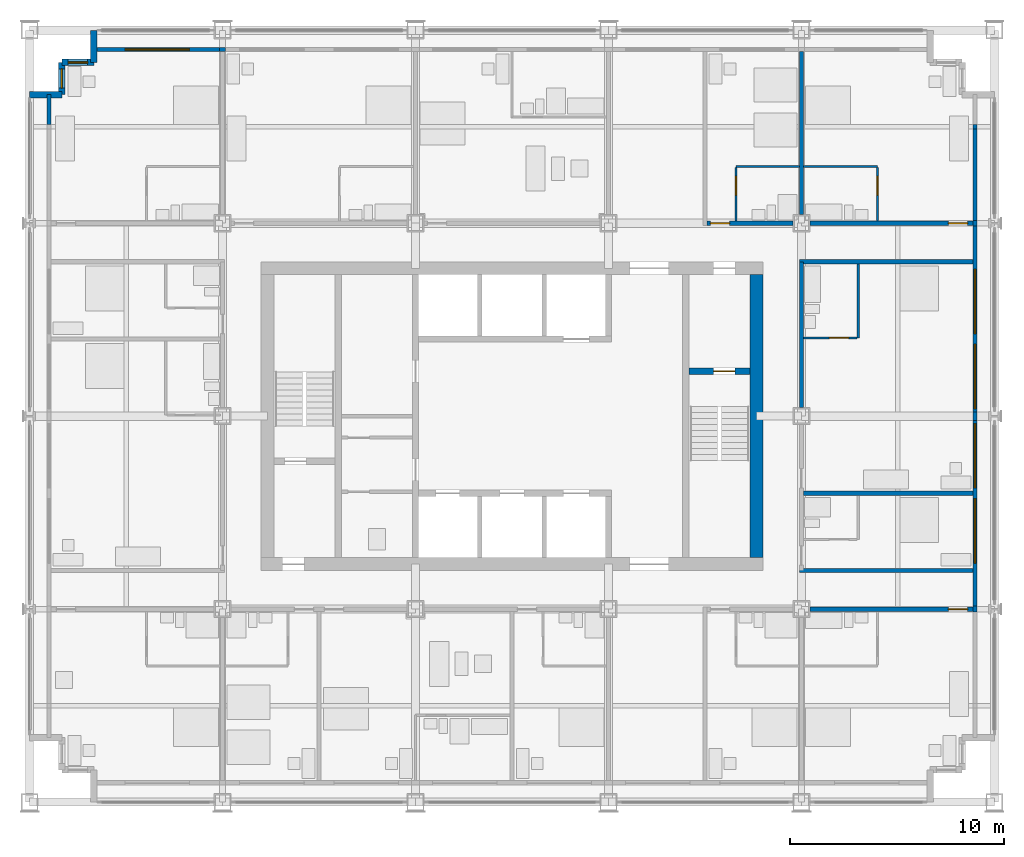
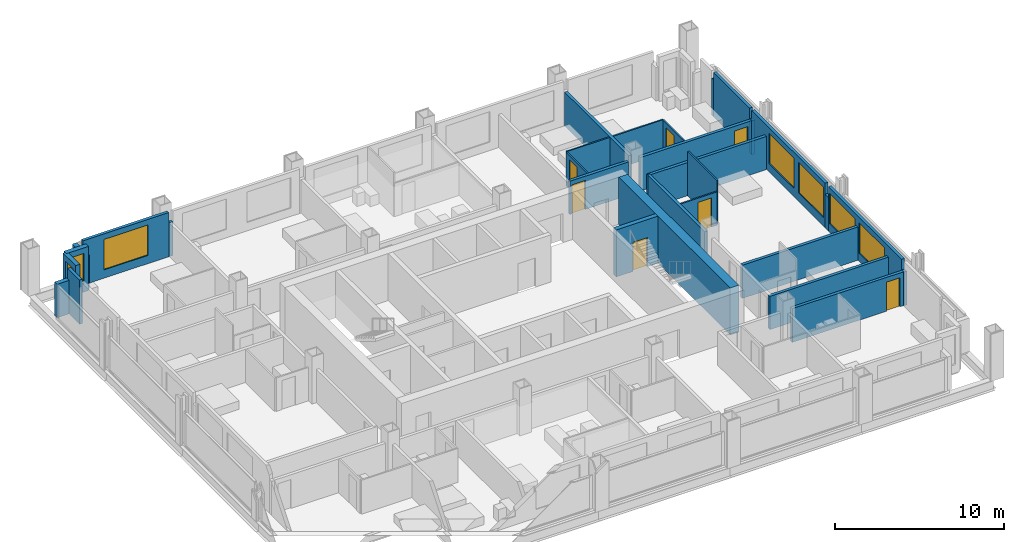
# One storey, part 12 of 16: 30 walls, 7 doors, 7 windows, 14 openings.
"""IFC4 building model written with IfcOpenShell, lengths in metres."""

import ifcopenshell
import ifcopenshell.guid

model = None  # the IFC model being written
_history = None  # IfcOwnerHistory: only IFC2X3 demands one
_inside = {}  # id of a spatial element -> (the spatial element, [elements in it])
_under = {}  # id of a project, library or spatial element -> (it, [spatial elements below it])
_declared = {}  # id of a project -> (the project, [libraries it declares])
_typed = {}  # id of a type object -> (the type object, [elements of that type])
_made_of = {}  # id of a material, layer set ... -> (it, [elements and type objects made of it])


def new_model(schema):
    """Start an empty IFC model of exactly this schema.

    Asked for "IFC4X3", IfcOpenShell would pick the latest addendum, in which some entities
    have other attributes; the version numbers below select the first issue.
    IFC2X3 requires an IfcOwnerHistory on every rooted entity: one is made here for all.
    """
    global model, _history
    if schema == "IFC4X3":
        model = ifcopenshell.file(schema_version=(4, 3, 0, 0))
    else:
        model = ifcopenshell.file(schema=schema)
    _inside.clear()
    _under.clear()
    _declared.clear()
    _typed.clear()
    _made_of.clear()
    _history = None
    if model.schema == "IFC2X3":
        org = make("IfcOrganization", Name="unknown")
        user = make(
            "IfcPersonAndOrganization",
            ThePerson=make("IfcPerson", FamilyName="unknown"),
            TheOrganization=org,
        )
        app = make(
            "IfcApplication",
            ApplicationDeveloper=org,
            Version="unknown",
            ApplicationFullName="unknown",
            ApplicationIdentifier="unknown",
        )
        _history = make(
            "IfcOwnerHistory",
            OwningUser=user,
            OwningApplication=app,
            ChangeAction="ADDED",
            CreationDate=0,
        )
    return model


def make(cls, **values):
    """One entity of the class cls with the attributes given. An attribute that is None is left unset."""
    return model.create_entity(
        cls, **{name: value for name, value in values.items() if value is not None}
    )


def rooted(cls, **values):
    """An entity with a GlobalId (a new one), such as an element, a storey or a relation."""
    return make(cls, GlobalId=ifcopenshell.guid.new(), OwnerHistory=_history, **values)


def si_unit(unit_type, name, prefix=None):
    """IfcSIUnit, for example si_unit("LENGTHUNIT", "METRE", prefix="MILLI")."""
    return make("IfcSIUnit", UnitType=unit_type, Prefix=prefix, Name=name)


def assignment(units):
    """IfcUnitAssignment: the units of a project."""
    return None if units is None else make("IfcUnitAssignment", Units=units)


def point(xyz):
    """IfcCartesianPoint."""
    return None if xyz is None else make("IfcCartesianPoint", Coordinates=xyz)


def direction(xyz):
    """IfcDirection."""
    return None if xyz is None else make("IfcDirection", DirectionRatios=xyz)


def frame(location, z_axis=None, x_axis=None):
    """IfcAxis2Placement3D, a coordinate frame: its origin and axes. An axis left out is left unset."""
    return make(
        "IfcAxis2Placement3D",
        Location=point(location),
        Axis=direction(z_axis),
        RefDirection=direction(x_axis),
    )


def frame_2d(location, x_axis=None):
    """IfcAxis2Placement2D, a coordinate frame in the plane: its origin and x axis."""
    return make(
        "IfcAxis2Placement2D", Location=point(location), RefDirection=direction(x_axis)
    )


def origin():
    """The frame at (0, 0, 0) with its axes left unset."""
    return frame((0.0, 0.0, 0.0))


def place(relative_to, where):
    """IfcLocalPlacement: puts the frame where relative to a parent placement (None: the world)."""
    return make(
        "IfcLocalPlacement", PlacementRelTo=relative_to, RelativePlacement=where
    )


def context(
    kind, dimensions, precision=None, world=None, true_north=None, identifier=None
):
    """IfcGeometricRepresentationContext, for example the 3D "Model" context."""
    return make(
        "IfcGeometricRepresentationContext",
        ContextIdentifier=identifier,
        ContextType=kind,
        CoordinateSpaceDimension=dimensions,
        Precision=precision,
        WorldCoordinateSystem=world,
        TrueNorth=true_north,
    )


def subcontext(parent, identifier, kind, view, scale=None):
    """IfcGeometricRepresentationSubContext, for example "Body" below "Model"."""
    return make(
        "IfcGeometricRepresentationSubContext",
        ContextIdentifier=identifier,
        ContextType=kind,
        ParentContext=parent,
        TargetScale=scale,
        TargetView=view,
    )


def project(units=None, contexts=None):
    """IfcProject with its units and contexts."""
    return rooted(
        "IfcProject",
        Name="project",
        RepresentationContexts=contexts,
        UnitsInContext=assignment(units),
    )


def spatial(cls, under=None, at=None, **own):
    """A site, building, storey or space (cls), placed at a placement, below another one or the project."""
    s = rooted(cls, ObjectPlacement=at, **own)
    if under is not None:
        _under.setdefault(under.id(), (under, []))[1].append(s)
    return s


def profile(cls, at=None, kind="AREA", **sizes):
    """A parametric profile (cls). Its sizes go by their IFC names, for example OverallWidth=200.0."""
    return make(cls, ProfileType=kind, Position=at, **sizes)


def rectangle(**sizes):
    """IfcRectangleProfileDef."""
    return profile("IfcRectangleProfileDef", **sizes)


def extrude(swept, where, along, depth):
    """IfcExtrudedAreaSolid: the profile swept, set in the frame where, extruded along a direction by depth."""
    return make(
        "IfcExtrudedAreaSolid",
        SweptArea=swept,
        Position=where,
        ExtrudedDirection=direction(along),
        Depth=depth,
    )


def shape(context_of_items, identifier, shape_type, items):
    """IfcShapeRepresentation: the items that make up one representation, for example the "Body"."""
    return make(
        "IfcShapeRepresentation",
        ContextOfItems=context_of_items,
        RepresentationIdentifier=identifier,
        RepresentationType=shape_type,
        Items=items,
    )


def material(Name=None, Category=None):
    """IfcMaterial."""
    return make("IfcMaterial", Name=Name, Category=Category)


def layer(
    of_material, thickness, ventilated=None, Name=None, Category=None, Priority=None
):
    """IfcMaterialLayer: one layer of a wall or slab, of a material (None: an air gap)."""
    return make(
        "IfcMaterialLayer",
        Material=of_material,
        LayerThickness=thickness,
        IsVentilated=ventilated,
        Name=Name,
        Category=Category,
        Priority=Priority,
    )


def layer_set(layers, Name=None):
    """IfcMaterialLayerSet."""
    return make("IfcMaterialLayerSet", MaterialLayers=layers, LayerSetName=Name)


def made_of(thing, what):
    """Note that an element or type object is made of a material, layer set ...; save() writes the relation."""
    if what is not None:
        _made_of.setdefault(what.id(), (what, []))[1].append(thing)
    return thing


def type_object(cls, material=None, **own):
    """A type object (cls), such as IfcWallType, which elements share."""
    return made_of(rooted(cls, **own), material)


def element(
    cls,
    number,
    at=None,
    inside=None,
    cuts=None,
    type_object=None,
    material=None,
    context=None,
    identifier="Body",
    shape_type=None,
    held_by="IfcProductDefinitionShape",
    body=None,
    shapes=None,
    **own,
):
    """One element of the class cls, such as IfcWall. Its Tag is "e" and its number.

    at: its placement. inside: the storey or other place that contains it. cuts: it is an
    opening in that element (IfcRelVoidsElement). A single representation is given by context,
    identifier, shape_type and body (its items); several are given by shapes. held_by: the class
    of the entity that holds the representations. save() writes the other relations.
    """
    e = rooted(cls, Tag="e%d" % number, ObjectPlacement=at, **own)
    if body is not None:
        shapes = [shape(context, identifier, shape_type, body)]
    if shapes is not None:
        e.Representation = make(held_by, Representations=shapes)
    if inside is not None:
        _inside.setdefault(inside.id(), (inside, []))[1].append(e)
    if cuts is not None:
        rooted(
            "IfcRelVoidsElement", RelatingBuildingElement=cuts, RelatedOpeningElement=e
        )
    if type_object is not None:
        _typed.setdefault(type_object.id(), (type_object, []))[1].append(e)
    return made_of(e, material)


def fill(opening, filler):
    """IfcRelFillsElement: the door or window that sits in an opening."""
    return rooted(
        "IfcRelFillsElement",
        RelatingOpeningElement=opening,
        RelatedBuildingElement=filler,
    )


def aggregate(whole, parts):
    """IfcRelAggregates: a whole, such as a stair, and the parts it consists of."""
    return rooted("IfcRelAggregates", RelatingObject=whole, RelatedObjects=parts)


def save(model, path):
    """Write the relations noted so far, then the file.

    IfcRelAggregates (storeys below a building ...), IfcRelContainedInSpatialStructure (elements
    in a storey), IfcRelDefinesByType, IfcRelAssociatesMaterial and IfcRelDeclares: one each for
    every whole, place, type object, material and project.
    """
    for whole, parts in _under.values():
        aggregate(whole, parts)
    for where, things in _inside.values():
        rooted(
            "IfcRelContainedInSpatialStructure",
            RelatedElements=things,
            RelatingStructure=where,
        )
    for kind, things in _typed.values():
        rooted("IfcRelDefinesByType", RelatedObjects=things, RelatingType=kind)
    for what, things in _made_of.values():
        rooted("IfcRelAssociatesMaterial", RelatedObjects=things, RelatingMaterial=what)
    for by, libraries in _declared.values():
        rooted("IfcRelDeclares", RelatingContext=by, RelatedDefinitions=libraries)
    model.write(path)


model = new_model("IFC4")

# Units and contexts
model_context = context("Model", 3, precision=1e-05, world=origin(), true_north=direction((0.0, 1.0)))
body_context = subcontext(model_context, "Body", "Model", "MODEL_VIEW")
ifc_project = project(units=[si_unit("LENGTHUNIT", "METRE"), si_unit("AREAUNIT", "SQUARE_METRE"), si_unit("VOLUMEUNIT", "CUBIC_METRE"), si_unit("PLANEANGLEUNIT", "RADIAN"), si_unit("MASSUNIT", "GRAM", prefix="KILO")], contexts=[model_context])

# Site, building, storey
site_placement = place(None, origin())
site = spatial("IfcSite", under=ifc_project, at=site_placement, CompositionType="ELEMENT")
building_placement = place(site_placement, origin())
building = spatial("IfcBuilding", under=site, at=building_placement, Name="Loomwork Tower", CompositionType="ELEMENT")
storey_placement = place(building_placement, frame((0.0, 0.0, 124.800048828125)))
storey = spatial("IfcBuildingStorey", under=building, at=storey_placement, Name="L33", CompositionType="ELEMENT", Elevation=124.800048828125)

# Wall, opening, door
ifc_material_1 = material(Name="Concrete 14000 psi (97 MPa)", Category="concrete")
ifc_layer_1 = layer(ifc_material_1, 0.300048828125)
ifc_layer_set_1 = layer_set([ifc_layer_1], Name="Core shear wall 300")
wall_type_1 = type_object("IfcWallType", Name="Core shear wall 300", PredefinedType="SHEAR", material=ifc_layer_set_1)
wall_1_placement = place(storey_placement, frame((30.75, 20.10009765625, 0.0), z_axis=(0.0, 0.0, 1.0), x_axis=(1.0, 0.0, 0.0)))
wall_1 = element("IfcWall", 1, at=wall_1_placement, inside=storey, type_object=wall_type_1, Name="Stair B north wall L33", PredefinedType="SHEAR", context=body_context, shape_type="SweptSolid", body=[
    extrude(rectangle(XDim=2.85009765625, YDim=0.300048828125, at=frame_2d((1.425048828125, 0.0))), origin(), (0.0, 0.0, 1.0), 3.39990234375),
])
opening_1_placement = place(wall_1_placement, frame((1.14990234375, 0.0, 0.0)))
opening_1 = element("IfcOpeningElement", 2, at=opening_1_placement, cuts=wall_1, Name="Opening D4", PredefinedType="OPENING", context=body_context, shape_type="SweptSolid", body=[
    extrude(rectangle(XDim=1.0, YDim=2.10009765625, at=frame_2d((0.5, 1.050048828125))), frame((0.0, 0.159912109375, 0.0), z_axis=(0.0, -1.0, 0.0), x_axis=(1.0, 0.0, 0.0)), (0.0, 0.0, 1.0), 0.320068359375),
])
ifc_material_2 = material(Name="Hollow metal door and frame")
door_type_1 = type_object("IfcDoorType", Name="Stair door 1000", OperationType="SINGLE_SWING_RIGHT", PredefinedType="DOOR", material=ifc_material_2)
door_1_placement = place(opening_1_placement, frame((1.0, 0.0, 0.0), z_axis=(0.0, 0.0, 1.0), x_axis=(-1.0, 0.0, 0.0)))
door_1 = element("IfcDoor", 3, at=door_1_placement, inside=storey, type_object=door_type_1, Name="Stair B door", OperationType="SINGLE_SWING_LEFT", OverallHeight=2.10009765625, OverallWidth=1.0, PredefinedType="DOOR", context=body_context, shape_type="SweptSolid", body=[
    extrude(rectangle(XDim=1.0, YDim=2.10009765625, at=frame_2d((0.5, 1.050048828125))), frame((0.0, 0.02490234375, 0.0), z_axis=(0.0, -1.0, 0.0), x_axis=(1.0, 0.0, 0.0)), (0.0, 0.0, 1.0), 0.050048828125),
])
fill(opening_1, door_1)

# Wall
ifc_material_3 = material(Name="Concrete 14000 psi (97 MPa)", Category="concrete")
ifc_layer_2 = layer(ifc_material_3, 0.60009765625)
ifc_layer_set_2 = layer_set([ifc_layer_2], Name="Core shear wall 600")
wall_type_2 = type_object("IfcWallType", Name="Core shear wall 600", PredefinedType="SHEAR", material=ifc_layer_set_2)
wall_2_placement = place(storey_placement, frame((33.89990234375, 11.39990234375, 0.0), z_axis=(0.0, 0.0, 1.0), x_axis=(0.0, 1.0, 0.0)))
element("IfcWall", 4, at=wall_2_placement, inside=storey, type_object=wall_type_2, Name="Core wall east L33", PredefinedType="SHEAR", context=body_context, shape_type="SweptSolid", body=[
    extrude(rectangle(XDim=13.2001953125, YDim=0.60009765625, at=frame_2d((6.60009765625, 0.0))), origin(), (0.0, 0.0, 1.0), 3.39990234375),
])

# Wall, opening, door
ifc_material_4 = material(Name="Gypsum board on steel studs, one-hour", Category="steel")
ifc_layer_3 = layer(ifc_material_4, 0.199951171875)
ifc_layer_set_3 = layer_set([ifc_layer_3], Name="Corridor wall 200")
wall_type_3 = type_object("IfcWallType", Name="Corridor wall 200", PredefinedType="PARTITIONING", material=ifc_layer_set_3)
wall_3_placement = place(storey_placement, frame((36.39990234375, 9.0, 0.0), z_axis=(0.0, 0.0, 1.0), x_axis=(1.0, 0.0, 0.0)))
wall_3 = element("IfcWall", 5, at=wall_3_placement, inside=storey, type_object=wall_type_3, Name="South corridor wall 5", PredefinedType="PARTITIONING", context=body_context, shape_type="SweptSolid", body=[
    extrude(rectangle(XDim=7.60009765625, YDim=0.199951171875, at=frame_2d((3.800048828125, 0.0))), origin(), (0.0, 0.0, 1.0), 2.43798828125),
])
opening_2_placement = place(wall_3_placement, frame((6.449951171875, 0.0, 0.0)))
opening_2 = element("IfcOpeningElement", 6, at=opening_2_placement, cuts=wall_3, Name="Opening D1", PredefinedType="OPENING", context=body_context, shape_type="SweptSolid", body=[
    extrude(rectangle(XDim=0.89990234375, YDim=2.10009765625, at=frame_2d((0.449951171875, 1.050048828125))), frame((0.0, 0.10986328125, 0.0), z_axis=(0.0, -1.0, 0.0), x_axis=(1.0, 0.0, 0.0)), (0.0, 0.0, 1.0), 0.219970703125),
])
ifc_material_5 = material(Name="Hollow metal door and frame")
door_type_2 = type_object("IfcDoorType", Name="Guest room entry door 900", OperationType="SINGLE_SWING_LEFT", PredefinedType="DOOR", material=ifc_material_5)
door_2_placement = place(opening_2_placement, frame((0.89990234375, 0.0, 0.0), z_axis=(0.0, 0.0, 1.0), x_axis=(-1.0, 0.0, 0.0)))
door_2 = element("IfcDoor", 7, at=door_2_placement, inside=storey, type_object=door_type_2, Name="Guest room entry door L33 6", OperationType="SINGLE_SWING_LEFT", OverallHeight=2.10009765625, OverallWidth=0.89990234375, PredefinedType="DOOR", context=body_context, shape_type="SweptSolid", body=[
    extrude(rectangle(XDim=0.89990234375, YDim=2.10009765625, at=frame_2d((0.449951171875, 1.050048828125))), frame((0.0, 0.02490234375, 0.0), z_axis=(0.0, -1.0, 0.0), x_axis=(1.0, 0.0, 0.0)), (0.0, 0.0, 1.0), 0.050048828125),
])
fill(opening_2, door_2)

wall_4_placement = place(storey_placement, frame((31.60009765625, 27.0, 0.0), z_axis=(0.0, 0.0, 1.0), x_axis=(1.0, 0.0, 0.0)))
wall_4 = element("IfcWall", 8, at=wall_4_placement, inside=storey, type_object=wall_type_3, Name="North corridor wall 4", PredefinedType="PARTITIONING", context=body_context, shape_type="SweptSolid", body=[
    extrude(rectangle(XDim=4.0, YDim=0.199951171875, at=frame_2d((2.0, 0.0))), origin(), (0.0, 0.0, 1.0), 2.405029296875),
])
opening_3_placement = place(wall_4_placement, frame((0.14990234375, 0.0, 0.0)))
opening_3 = element("IfcOpeningElement", 9, at=opening_3_placement, cuts=wall_4, Name="Opening D1", PredefinedType="OPENING", context=body_context, shape_type="SweptSolid", body=[
    extrude(rectangle(XDim=0.89990234375, YDim=2.10009765625, at=frame_2d((0.449951171875, 1.050048828125))), frame((0.0, 0.10986328125, 0.0), z_axis=(0.0, -1.0, 0.0), x_axis=(1.0, 0.0, 0.0)), (0.0, 0.0, 1.0), 0.219970703125),
])
door_3_placement = place(opening_3_placement, origin())
door_3 = element("IfcDoor", 10, at=door_3_placement, inside=storey, type_object=door_type_2, Name="Guest room entry door L33 10", OperationType="SINGLE_SWING_LEFT", OverallHeight=2.10009765625, OverallWidth=0.89990234375, PredefinedType="DOOR", context=body_context, shape_type="SweptSolid", body=[
    extrude(rectangle(XDim=0.89990234375, YDim=2.10009765625, at=frame_2d((0.449951171875, 1.050048828125))), frame((0.0, 0.02490234375, 0.0), z_axis=(0.0, -1.0, 0.0), x_axis=(1.0, 0.0, 0.0)), (0.0, 0.0, 1.0), 0.050048828125),
])
fill(opening_3, door_3)

wall_5_placement = place(storey_placement, frame((36.39990234375, 27.0, 0.0), z_axis=(0.0, 0.0, 1.0), x_axis=(1.0, 0.0, 0.0)))
wall_5 = element("IfcWall", 11, at=wall_5_placement, inside=storey, type_object=wall_type_3, Name="North corridor wall 5", PredefinedType="PARTITIONING", context=body_context, shape_type="SweptSolid", body=[
    extrude(rectangle(XDim=7.60009765625, YDim=0.199951171875, at=frame_2d((3.800048828125, 0.0))), origin(), (0.0, 0.0, 1.0), 2.43798828125),
])
opening_4_placement = place(wall_5_placement, frame((6.449951171875, 0.0, 0.0)))
opening_4 = element("IfcOpeningElement", 12, at=opening_4_placement, cuts=wall_5, Name="Opening D1", PredefinedType="OPENING", context=body_context, shape_type="SweptSolid", body=[
    extrude(rectangle(XDim=0.89990234375, YDim=2.10009765625, at=frame_2d((0.449951171875, 1.050048828125))), frame((0.0, 0.10986328125, 0.0), z_axis=(0.0, -1.0, 0.0), x_axis=(1.0, 0.0, 0.0)), (0.0, 0.0, 1.0), 0.219970703125),
])
door_4_placement = place(opening_4_placement, origin())
door_4 = element("IfcDoor", 13, at=door_4_placement, inside=storey, type_object=door_type_2, Name="Guest room entry door L33 11", OperationType="SINGLE_SWING_RIGHT", OverallHeight=2.10009765625, OverallWidth=0.89990234375, PredefinedType="DOOR", context=body_context, shape_type="SweptSolid", body=[
    extrude(rectangle(XDim=0.89990234375, YDim=2.10009765625, at=frame_2d((0.449951171875, 1.050048828125))), frame((0.0, 0.02490234375, 0.0), z_axis=(0.0, -1.0, 0.0), x_axis=(1.0, 0.0, 0.0)), (0.0, 0.0, 1.0), 0.050048828125),
])
fill(opening_4, door_4)

# Walls
wall_6_placement = place(storey_placement, frame((36.0, 18.39990234375, 0.0), z_axis=(0.0, 0.0, 1.0), x_axis=(0.0, 1.0, 0.0)))
element("IfcWall", 14, at=wall_6_placement, inside=storey, type_object=wall_type_3, Name="East corridor wall 2", PredefinedType="PARTITIONING", context=body_context, shape_type="SweptSolid", body=[
    extrude(rectangle(XDim=6.800048828125, YDim=0.199951171875, at=frame_2d((3.39990234375, 0.0))), origin(), (0.0, 0.0, 1.0), 2.405029296875),
])
for number, where, z_axis, x_axis, name in (
    (15, (35.89990234375, 10.800048828125, 0.0), (0.0, 0.0, 1.0), (1.0, 0.0, 0.0), "East band end wall S"),
    (16, (35.89990234375, 25.199951171875, 0.0), (0.0, 0.0, 1.0), (1.0, 0.0, 0.0), "East band end wall N"),
):
    element("IfcWall", number, at=place(storey_placement, frame(where, z_axis=z_axis, x_axis=x_axis)), inside=storey, type_object=wall_type_3, Name=name, PredefinedType="PARTITIONING", context=body_context, shape_type="SweptSolid", body=[
        extrude(rectangle(XDim=8.10009765625, YDim=0.199951171875, at=frame_2d((4.050048828125, 0.0))), origin(), (0.0, 0.0, 1.0), 2.404052734375),
    ])
ifc_material_6 = material(Name="Cement board on steel studs", Category="steel")
ifc_layer_4 = layer(ifc_material_6, 0.10009765625)
ifc_layer_set_4 = layer_set([ifc_layer_4], Name="En-suite partition 100")
wall_type_4 = type_object("IfcWallType", Name="En-suite partition 100", PredefinedType="PARTITIONING", material=ifc_layer_set_4)
wall_7_placement = place(storey_placement, frame((32.949951171875, 29.64990234375, 0.0), z_axis=(0.0, 0.0, 1.0), x_axis=(1.0, 0.0, 0.0)))
element("IfcWall", 17, at=wall_7_placement, inside=storey, type_object=wall_type_4, Name="En-suite wall L33 room 10", PredefinedType="PARTITIONING", context=body_context, shape_type="SweptSolid", body=[
    extrude(rectangle(XDim=2.949951171875, YDim=0.10009765625, at=frame_2d((1.47509765625, 0.0))), origin(), (0.0, 0.0, 1.0), 2.43798828125),
])

# Wall, opening, door
wall_8_placement = place(storey_placement, frame((32.949951171875, 27.10009765625, 0.0), z_axis=(0.0, 0.0, 1.0), x_axis=(0.0, 1.0, 0.0)))
wall_8 = element("IfcWall", 18, at=wall_8_placement, inside=storey, type_object=wall_type_4, Name="En-suite side wall L33 room 10", PredefinedType="PARTITIONING", context=body_context, shape_type="SweptSolid", body=[
    extrude(rectangle(XDim=2.5, YDim=0.10009765625, at=frame_2d((1.25, 0.0))), origin(), (0.0, 0.0, 1.0), 2.404052734375),
])
opening_5_placement = place(wall_8_placement, frame((1.199951171875, 0.0, 0.0)))
opening_5 = element("IfcOpeningElement", 19, at=opening_5_placement, cuts=wall_8, Name="Opening D2", PredefinedType="OPENING", context=body_context, shape_type="SweptSolid", body=[
    extrude(rectangle(XDim=0.89990234375, YDim=2.10009765625, at=frame_2d((0.449951171875, 1.050048828125))), frame((0.0, 0.06005859375, 0.0), z_axis=(0.0, -1.0, 0.0), x_axis=(1.0, 0.0, 0.0)), (0.0, 0.0, 1.0), 0.1201171875),
])
ifc_material_7 = material(Name="Hollow metal door and frame")
door_type_3 = type_object("IfcDoorType", Name="En-suite door 900", OperationType="SINGLE_SWING_LEFT", PredefinedType="DOOR", material=ifc_material_7)
door_5_placement = place(opening_5_placement, frame((0.89990234375, 0.0, 0.0), z_axis=(0.0, 0.0, 1.0), x_axis=(-1.0, 0.0, 0.0)))
door_5 = element("IfcDoor", 20, at=door_5_placement, inside=storey, type_object=door_type_3, Name="En-suite door room 10", OperationType="SINGLE_SWING_LEFT", OverallHeight=2.10009765625, OverallWidth=0.89990234375, PredefinedType="DOOR", context=body_context, shape_type="SweptSolid", body=[
    extrude(rectangle(XDim=0.89990234375, YDim=2.10009765625, at=frame_2d((0.449951171875, 1.050048828125))), frame((0.0, 0.02490234375, 0.0), z_axis=(0.0, -1.0, 0.0), x_axis=(1.0, 0.0, 0.0)), (0.0, 0.0, 1.0), 0.050048828125),
])
fill(opening_5, door_5)

# Wall
wall_9_placement = place(storey_placement, frame((36.10009765625, 29.64990234375, 0.0), z_axis=(0.0, 0.0, 1.0), x_axis=(1.0, 0.0, 0.0)))
element("IfcWall", 21, at=wall_9_placement, inside=storey, type_object=wall_type_4, Name="En-suite wall L33 room 11", PredefinedType="PARTITIONING", context=body_context, shape_type="SweptSolid", body=[
    extrude(rectangle(XDim=3.449951171875, YDim=0.10009765625, at=frame_2d((1.72509765625, 0.0))), origin(), (0.0, 0.0, 1.0), 2.43798828125),
])

# Wall, opening, door
wall_10_placement = place(storey_placement, frame((39.550048828125, 27.10009765625, 0.0), z_axis=(0.0, 0.0, 1.0), x_axis=(0.0, 1.0, 0.0)))
wall_10 = element("IfcWall", 22, at=wall_10_placement, inside=storey, type_object=wall_type_4, Name="En-suite side wall L33 room 11", PredefinedType="PARTITIONING", context=body_context, shape_type="SweptSolid", body=[
    extrude(rectangle(XDim=2.5, YDim=0.10009765625, at=frame_2d((1.25, 0.0))), origin(), (0.0, 0.0, 1.0), 2.43798828125),
])
opening_6_placement = place(wall_10_placement, frame((1.199951171875, 0.0, 0.0)))
opening_6 = element("IfcOpeningElement", 23, at=opening_6_placement, cuts=wall_10, Name="Opening D2", PredefinedType="OPENING", context=body_context, shape_type="SweptSolid", body=[
    extrude(rectangle(XDim=0.89990234375, YDim=2.10009765625, at=frame_2d((0.449951171875, 1.050048828125))), frame((0.0, 0.06005859375, 0.0), z_axis=(0.0, -1.0, 0.0), x_axis=(1.0, 0.0, 0.0)), (0.0, 0.0, 1.0), 0.1201171875),
])
door_6_placement = place(opening_6_placement, origin())
door_6 = element("IfcDoor", 24, at=door_6_placement, inside=storey, type_object=door_type_3, Name="En-suite door room 11", OperationType="SINGLE_SWING_RIGHT", OverallHeight=2.10009765625, OverallWidth=0.89990234375, PredefinedType="DOOR", context=body_context, shape_type="SweptSolid", body=[
    extrude(rectangle(XDim=0.89990234375, YDim=2.10009765625, at=frame_2d((0.449951171875, 1.050048828125))), frame((0.0, 0.02490234375, 0.0), z_axis=(0.0, -1.0, 0.0), x_axis=(1.0, 0.0, 0.0)), (0.0, 0.0, 1.0), 0.050048828125),
])
fill(opening_6, door_6)

# Wall
wall_11_placement = place(storey_placement, frame((38.64990234375, 21.64990234375, 0.0), z_axis=(0.0, 0.0, 1.0), x_axis=(0.0, 1.0, 0.0)))
element("IfcWall", 25, at=wall_11_placement, inside=storey, type_object=wall_type_4, Name="En-suite wall L33 room 15", PredefinedType="PARTITIONING", context=body_context, shape_type="SweptSolid", body=[
    extrude(rectangle(XDim=3.4501953125, YDim=0.10009765625, at=frame_2d((1.72509765625, 0.0))), origin(), (0.0, 0.0, 1.0), 3.199951171875),
])

# Wall, opening, door
wall_12_placement = place(storey_placement, frame((36.10009765625, 21.64990234375, 0.0), z_axis=(0.0, 0.0, 1.0), x_axis=(1.0, 0.0, 0.0)))
wall_12 = element("IfcWall", 26, at=wall_12_placement, inside=storey, type_object=wall_type_4, Name="En-suite side wall L33 room 15", PredefinedType="PARTITIONING", context=body_context, shape_type="SweptSolid", body=[
    extrude(rectangle(XDim=2.5, YDim=0.10009765625, at=frame_2d((1.25, 0.0))), origin(), (0.0, 0.0, 1.0), 2.404052734375),
])
opening_7_placement = place(wall_12_placement, frame((1.199951171875, 0.0, 0.0)))
opening_7 = element("IfcOpeningElement", 27, at=opening_7_placement, cuts=wall_12, Name="Opening D2", PredefinedType="OPENING", context=body_context, shape_type="SweptSolid", body=[
    extrude(rectangle(XDim=0.89990234375, YDim=2.10009765625, at=frame_2d((0.449951171875, 1.050048828125))), frame((0.0, 0.06005859375, 0.0), z_axis=(0.0, -1.0, 0.0), x_axis=(1.0, 0.0, 0.0)), (0.0, 0.0, 1.0), 0.1201171875),
])
door_7_placement = place(opening_7_placement, origin())
door_7 = element("IfcDoor", 28, at=door_7_placement, inside=storey, type_object=door_type_3, Name="En-suite door room 15", OperationType="SINGLE_SWING_RIGHT", OverallHeight=2.10009765625, OverallWidth=0.89990234375, PredefinedType="DOOR", context=body_context, shape_type="SweptSolid", body=[
    extrude(rectangle(XDim=0.89990234375, YDim=2.10009765625, at=frame_2d((0.449951171875, 1.050048828125))), frame((0.0, 0.02490234375, 0.0), z_axis=(0.0, -1.0, 0.0), x_axis=(1.0, 0.0, 0.0)), (0.0, 0.0, 1.0), 0.050048828125),
])
fill(opening_7, door_7)

# Walls
ifc_material_8 = material(Name="Gypsum board on steel studs, acoustic", Category="steel")
ifc_layer_5 = layer(ifc_material_8, 0.199951171875)
ifc_layer_set_5 = layer_set([ifc_layer_5], Name="Guest room party wall 200")
wall_type_5 = type_object("IfcWallType", Name="Guest room party wall 200", PredefinedType="PARTITIONING", material=ifc_layer_set_5)
wall_13_placement = place(storey_placement, frame((36.0, 27.39990234375, 0.0), z_axis=(0.0, 0.0, 1.0), x_axis=(0.0, 1.0, 0.0)))
element("IfcWall", 29, at=wall_13_placement, inside=storey, type_object=wall_type_5, Name="Guest room party wall N 36", PredefinedType="PARTITIONING", context=body_context, shape_type="SweptSolid", body=[
    extrude(rectangle(XDim=7.60009765625, YDim=0.199951171875, at=frame_2d((3.800048828125, 0.0))), origin(), (0.0, 0.0, 1.0), 2.43798828125),
])
wall_14_placement = place(storey_placement, frame((36.10009765625, 14.39990234375, 0.0), z_axis=(0.0, 0.0, 1.0), x_axis=(1.0, 0.0, 0.0)))
element("IfcWall", 30, at=wall_14_placement, inside=storey, type_object=wall_type_5, Name="Guest room party wall E 14.4", PredefinedType="PARTITIONING", context=body_context, shape_type="SweptSolid", body=[
    extrude(rectangle(XDim=7.89990234375, YDim=0.199951171875, at=frame_2d((3.949951171875, 0.0))), origin(), (0.0, 0.0, 1.0), 2.404052734375),
])

# Wall, opening, window
ifc_material_9 = material(Name="Insulated steel stud wall with gypsum lining", Category="steel")
ifc_layer_6 = layer(ifc_material_9, 0.199951171875)
ifc_layer_set_6 = layer_set([ifc_layer_6], Name="Inner skin wall 200")
wall_type_6 = type_object("IfcWallType", Name="Inner skin wall 200", PredefinedType="SOLIDWALL", material=ifc_layer_set_6)
wall_15_placement = place(storey_placement, frame((3.0, 35.10009765625, 0.0), z_axis=(0.0, 0.0, 1.0), x_axis=(1.0, 0.0, 0.0)))
wall_15 = element("IfcWall", 31, at=wall_15_placement, inside=storey, type_object=wall_type_6, Name="Inner skin wall N", PredefinedType="SOLIDWALL", context=body_context, shape_type="SweptSolid", body=[
    extrude(rectangle(XDim=5.86474609375, YDim=0.199951171875, at=frame_2d((2.932373046875, 0.0))), origin(), (0.0, 0.0, 1.0), 3.199951171875),
])
opening_8_placement = place(wall_15_placement, frame((1.449951171875, 0.0, 0.60009765625)))
opening_8 = element("IfcOpeningElement", 32, at=opening_8_placement, cuts=wall_15, Name="Opening CH1", PredefinedType="OPENING", context=body_context, shape_type="SweptSolid", body=[
    extrude(rectangle(XDim=3.0, YDim=2.199951171875, at=frame_2d((1.5, 1.10009765625))), frame((0.0, 0.10986328125, 0.0), z_axis=(0.0, -1.0, 0.0), x_axis=(1.0, 0.0, 0.0)), (0.0, 0.0, 1.0), 0.219970703125),
])
ifc_material_10 = material(Name="Aluminium frame with clear insulated glass", Category="aluminium")
window_type_1 = type_object("IfcWindowType", Name="Chicago window 3000", PartitioningType="TRIPLE_PANEL_VERTICAL", PredefinedType="WINDOW", material=ifc_material_10)
window_1_placement = place(opening_8_placement, origin())
window_1 = element("IfcWindow", 33, at=window_1_placement, inside=storey, type_object=window_type_1, Name="Chicago window L33 bay 6", OverallHeight=2.199951171875, OverallWidth=3.0, PartitioningType="TRIPLE_PANEL_VERTICAL", PredefinedType="WINDOW", context=body_context, shape_type="SweptSolid", body=[
    extrude(rectangle(XDim=3.0, YDim=2.199951171875, at=frame_2d((1.5, 1.10009765625))), frame((0.0, 0.030029296875, 0.0), z_axis=(0.0, -1.0, 0.0), x_axis=(1.0, 0.0, 0.0)), (0.0, 0.0, 1.0), 0.06005859375),
])
fill(opening_8, window_1)

# Walls
wall_16_placement = place(storey_placement, frame((0.89990234375, 31.607421875, 0.0), z_axis=(0.0, 0.0, 1.0), x_axis=(0.0, 1.0, 0.0)))
element("IfcWall", 34, at=wall_16_placement, inside=storey, type_object=wall_type_6, Name="Inner skin wall W bay 11", PredefinedType="SOLIDWALL", context=body_context, shape_type="SweptSolid", body=[
    extrude(rectangle(XDim=1.392578125, YDim=0.199951171875, at=frame_2d((0.6962890625, 0.0))), origin(), (0.0, 0.0, 1.0), 3.199951171875),
])
for number, where, z_axis, x_axis, name in (
    (35, (8.86474609375, 35.10009765625, 0.0), (0.0, 0.0, 1.0), (1.0, 0.0, 0.0), "Inner skin wall N bay 2"),
    (36, (44.10009765625, 8.86474609375, 0.0), (0.0, 0.0, 1.0), (0.0, 1.0, 0.0), "Inner skin wall E bay 4"),
):
    element("IfcWall", number, at=place(storey_placement, frame(where, z_axis=z_axis, x_axis=x_axis)), inside=storey, type_object=wall_type_6, Name=name, PredefinedType="SOLIDWALL", context=body_context, shape_type="SweptSolid", body=[
        extrude(rectangle(XDim=0.2705078125, YDim=0.199951171875, at=frame_2d((0.13525390625, 0.0))), origin(), (0.0, 0.0, 1.0), 2.43798828125),
    ])

# Wall, openings, windows
wall_17_placement = place(storey_placement, frame((44.10009765625, 9.13525390625, 0.0), z_axis=(0.0, 0.0, 1.0), x_axis=(0.0, 1.0, 0.0)))
wall_17 = element("IfcWall", 37, at=wall_17_placement, inside=storey, type_object=wall_type_6, Name="Inner skin wall E bay 5", PredefinedType="SOLIDWALL", context=body_context, shape_type="SweptSolid", body=[
    extrude(rectangle(XDim=8.6708984375, YDim=0.199951171875, at=frame_2d((4.33544921875, 0.0))), origin(), (0.0, 0.0, 1.0), 3.199951171875),
])
opening_9_placement = place(wall_17_placement, frame((2.0146484375, 0.0, 0.60009765625)))
opening_9 = element("IfcOpeningElement", 38, at=opening_9_placement, cuts=wall_17, Name="Opening CH1", PredefinedType="OPENING", context=body_context, shape_type="SweptSolid", body=[
    extrude(rectangle(XDim=3.0, YDim=2.199951171875, at=frame_2d((1.5, 1.10009765625))), frame((0.0, 0.10986328125, 0.0), z_axis=(0.0, -1.0, 0.0), x_axis=(1.0, 0.0, 0.0)), (0.0, 0.0, 1.0), 0.219970703125),
])
opening_10_placement = place(wall_17_placement, frame((5.5146484375, 0.0, 0.60009765625)))
opening_10 = element("IfcOpeningElement", 39, at=opening_10_placement, cuts=wall_17, Name="Opening CH1", PredefinedType="OPENING", context=body_context, shape_type="SweptSolid", body=[
    extrude(rectangle(XDim=3.0, YDim=2.199951171875, at=frame_2d((1.5, 1.10009765625))), frame((0.0, 0.10986328125, 0.0), z_axis=(0.0, -1.0, 0.0), x_axis=(1.0, 0.0, 0.0)), (0.0, 0.0, 1.0), 0.219970703125),
])
window_2_placement = place(opening_9_placement, origin())
window_2 = element("IfcWindow", 40, at=window_2_placement, inside=storey, type_object=window_type_1, Name="Chicago window L33 bay 13", OverallHeight=2.199951171875, OverallWidth=3.0, PartitioningType="TRIPLE_PANEL_VERTICAL", PredefinedType="WINDOW", context=body_context, shape_type="SweptSolid", body=[
    extrude(rectangle(XDim=3.0, YDim=2.199951171875, at=frame_2d((1.5, 1.10009765625))), frame((0.0, 0.030029296875, 0.0), z_axis=(0.0, -1.0, 0.0), x_axis=(1.0, 0.0, 0.0)), (0.0, 0.0, 1.0), 0.06005859375),
])
fill(opening_9, window_2)
window_3_placement = place(opening_10_placement, origin())
window_3 = element("IfcWindow", 41, at=window_3_placement, inside=storey, type_object=window_type_1, Name="Chicago window L33 bay 13", OverallHeight=2.199951171875, OverallWidth=3.0, PartitioningType="TRIPLE_PANEL_VERTICAL", PredefinedType="WINDOW", context=body_context, shape_type="SweptSolid", body=[
    extrude(rectangle(XDim=3.0, YDim=2.199951171875, at=frame_2d((1.5, 1.10009765625))), frame((0.0, 0.030029296875, 0.0), z_axis=(0.0, -1.0, 0.0), x_axis=(1.0, 0.0, 0.0)), (0.0, 0.0, 1.0), 0.06005859375),
])
fill(opening_10, window_3)

# Wall
wall_18_placement = place(storey_placement, frame((44.10009765625, 17.80615234375, 0.0), z_axis=(0.0, 0.0, 1.0), x_axis=(0.0, 1.0, 0.0)))
element("IfcWall", 42, at=wall_18_placement, inside=storey, type_object=wall_type_6, Name="Inner skin wall E bay 6", PredefinedType="SOLIDWALL", context=body_context, shape_type="SweptSolid", body=[
    extrude(rectangle(XDim=0.3876953125, YDim=0.199951171875, at=frame_2d((0.19384765625, 0.0))), origin(), (0.0, 0.0, 1.0), 2.404052734375),
])

# Wall, openings, windows
wall_19_placement = place(storey_placement, frame((44.10009765625, 18.19384765625, 0.0), z_axis=(0.0, 0.0, 1.0), x_axis=(0.0, 1.0, 0.0)))
wall_19 = element("IfcWall", 43, at=wall_19_placement, inside=storey, type_object=wall_type_6, Name="Inner skin wall E bay 7", PredefinedType="SOLIDWALL", context=body_context, shape_type="SweptSolid", body=[
    extrude(rectangle(XDim=8.6708984375, YDim=0.199951171875, at=frame_2d((4.33544921875, 0.0))), origin(), (0.0, 0.0, 1.0), 3.199951171875),
])
opening_11_placement = place(wall_19_placement, frame((0.15625, 0.0, 0.60009765625)))
opening_11 = element("IfcOpeningElement", 44, at=opening_11_placement, cuts=wall_19, Name="Opening CH1", PredefinedType="OPENING", context=body_context, shape_type="SweptSolid", body=[
    extrude(rectangle(XDim=3.0, YDim=2.199951171875, at=frame_2d((1.5, 1.10009765625))), frame((0.0, 0.10986328125, 0.0), z_axis=(0.0, -1.0, 0.0), x_axis=(1.0, 0.0, 0.0)), (0.0, 0.0, 1.0), 0.219970703125),
])
opening_12_placement = place(wall_19_placement, frame((3.65625, 0.0, 0.60009765625)))
opening_12 = element("IfcOpeningElement", 45, at=opening_12_placement, cuts=wall_19, Name="Opening CH1", PredefinedType="OPENING", context=body_context, shape_type="SweptSolid", body=[
    extrude(rectangle(XDim=3.0, YDim=2.199951171875, at=frame_2d((1.5, 1.10009765625))), frame((0.0, 0.10986328125, 0.0), z_axis=(0.0, -1.0, 0.0), x_axis=(1.0, 0.0, 0.0)), (0.0, 0.0, 1.0), 0.219970703125),
])
window_4_placement = place(opening_11_placement, origin())
window_4 = element("IfcWindow", 46, at=window_4_placement, inside=storey, type_object=window_type_1, Name="Chicago window L33 bay 14", OverallHeight=2.199951171875, OverallWidth=3.0, PartitioningType="TRIPLE_PANEL_VERTICAL", PredefinedType="WINDOW", context=body_context, shape_type="SweptSolid", body=[
    extrude(rectangle(XDim=3.0, YDim=2.199951171875, at=frame_2d((1.5, 1.10009765625))), frame((0.0, 0.030029296875, 0.0), z_axis=(0.0, -1.0, 0.0), x_axis=(1.0, 0.0, 0.0)), (0.0, 0.0, 1.0), 0.06005859375),
])
fill(opening_11, window_4)
window_5_placement = place(opening_12_placement, origin())
window_5 = element("IfcWindow", 47, at=window_5_placement, inside=storey, type_object=window_type_1, Name="Chicago window L33 bay 14", OverallHeight=2.199951171875, OverallWidth=3.0, PartitioningType="TRIPLE_PANEL_VERTICAL", PredefinedType="WINDOW", context=body_context, shape_type="SweptSolid", body=[
    extrude(rectangle(XDim=3.0, YDim=2.199951171875, at=frame_2d((1.5, 1.10009765625))), frame((0.0, 0.030029296875, 0.0), z_axis=(0.0, -1.0, 0.0), x_axis=(1.0, 0.0, 0.0)), (0.0, 0.0, 1.0), 0.06005859375),
])
fill(opening_12, window_5)

# Walls
wall_20_placement = place(storey_placement, frame((44.10009765625, 26.86474609375, 0.0), z_axis=(0.0, 0.0, 1.0), x_axis=(0.0, 1.0, 0.0)))
element("IfcWall", 48, at=wall_20_placement, inside=storey, type_object=wall_type_6, Name="Inner skin wall E bay 8", PredefinedType="SOLIDWALL", context=body_context, shape_type="SweptSolid", body=[
    extrude(rectangle(XDim=0.2705078125, YDim=0.199951171875, at=frame_2d((0.13525390625, 0.0))), origin(), (0.0, 0.0, 1.0), 2.43798828125),
])
wall_21_placement = place(storey_placement, frame((44.10009765625, 27.13525390625, 0.0), z_axis=(0.0, 0.0, 1.0), x_axis=(0.0, 1.0, 0.0)))
element("IfcWall", 49, at=wall_21_placement, inside=storey, type_object=wall_type_6, Name="Inner skin wall E bay 9", PredefinedType="SOLIDWALL", context=body_context, shape_type="SweptSolid", body=[
    extrude(rectangle(XDim=4.25732421875, YDim=0.199951171875, at=frame_2d((2.128662109375, 0.0))), origin(), (0.0, 0.0, 1.0), 3.199951171875),
])
wall_22_placement = place(storey_placement, frame((44.10009765625, 31.392578125, 0.0), z_axis=(0.0, 0.0, 1.0), x_axis=(0.0, 1.0, 0.0)))
element("IfcWall", 50, at=wall_22_placement, inside=storey, type_object=wall_type_6, Name="Inner skin wall E bay 10", PredefinedType="SOLIDWALL", context=body_context, shape_type="SweptSolid", body=[
    extrude(rectangle(XDim=0.21484375, YDim=0.199951171875, at=frame_2d((0.107421875, 0.0))), origin(), (0.0, 0.0, 1.0), 2.660888671875),
])
ifc_material_11 = material(Name="Limestone on concrete masonry", Category="masonry")
ifc_layer_7 = layer(ifc_material_11, 0.300048828125)
ifc_layer_set_7 = layer_set([ifc_layer_7], Name="Limestone corner wall 300")
wall_type_7 = type_object("IfcWallType", Name="Limestone corner wall 300", PredefinedType="SOLIDWALL", material=ifc_layer_set_7)
wall_23_placement = place(storey_placement, frame((3.0, 36.0, 0.0), z_axis=(0.0, 0.0, 1.0), x_axis=(0.0, -1.0, 0.0)))
element("IfcWall", 51, at=wall_23_placement, inside=storey, type_object=wall_type_7, Name="Stone corner wall NW 1", PredefinedType="SOLIDWALL", context=body_context, shape_type="SweptSolid", body=[
    extrude(rectangle(XDim=1.5, YDim=0.300048828125, at=frame_2d((0.75, 0.0))), origin(), (0.0, 0.0, 1.0), 2.419921875),
])

# Wall, opening, window
wall_24_placement = place(storey_placement, frame((3.0, 34.5, 0.0), z_axis=(0.0, 0.0, 1.0), x_axis=(-1.0, 0.0, 0.0)))
wall_24 = element("IfcWall", 52, at=wall_24_placement, inside=storey, type_object=wall_type_7, Name="Stone corner wall NW 2", PredefinedType="SOLIDWALL", context=body_context, shape_type="SweptSolid", body=[
    extrude(rectangle(XDim=1.5, YDim=0.300048828125, at=frame_2d((0.75, 0.0))), origin(), (0.0, 0.0, 1.0), 3.199951171875),
])
opening_13_placement = place(wall_24_placement, frame((0.300048828125, 0.0, 0.60009765625)))
opening_13 = element("IfcOpeningElement", 53, at=opening_13_placement, cuts=wall_24, Name="Opening CH2", PredefinedType="OPENING", context=body_context, shape_type="SweptSolid", body=[
    extrude(rectangle(XDim=0.89990234375, YDim=2.199951171875, at=frame_2d((0.449951171875, 1.10009765625))), frame((0.0, 0.159912109375, 0.0), z_axis=(0.0, -1.0, 0.0), x_axis=(1.0, 0.0, 0.0)), (0.0, 0.0, 1.0), 0.320068359375),
])
ifc_material_12 = material(Name="Aluminium frame with clear insulated glass", Category="aluminium")
window_type_2 = type_object("IfcWindowType", Name="Corner window 900", PartitioningType="SINGLE_PANEL", PredefinedType="WINDOW", material=ifc_material_12)
window_6_placement = place(opening_13_placement, origin())
window_6 = element("IfcWindow", 54, at=window_6_placement, inside=storey, type_object=window_type_2, Name="Corner window NW", OverallHeight=2.199951171875, OverallWidth=0.89990234375, PartitioningType="SINGLE_PANEL", PredefinedType="WINDOW", context=body_context, shape_type="SweptSolid", body=[
    extrude(rectangle(XDim=0.89990234375, YDim=2.199951171875, at=frame_2d((0.449951171875, 1.10009765625))), frame((0.0, 0.030029296875, 0.0), z_axis=(0.0, -1.0, 0.0), x_axis=(1.0, 0.0, 0.0)), (0.0, 0.0, 1.0), 0.06005859375),
])
fill(opening_13, window_6)

wall_25_placement = place(storey_placement, frame((1.5, 34.5, 0.0), z_axis=(0.0, 0.0, 1.0), x_axis=(0.0, -1.0, 0.0)))
wall_25 = element("IfcWall", 55, at=wall_25_placement, inside=storey, type_object=wall_type_7, Name="Stone corner wall NW 3", PredefinedType="SOLIDWALL", context=body_context, shape_type="SweptSolid", body=[
    extrude(rectangle(XDim=1.5, YDim=0.300048828125, at=frame_2d((0.75, 0.0))), origin(), (0.0, 0.0, 1.0), 3.199951171875),
])
opening_14_placement = place(wall_25_placement, frame((0.300048828125, 0.0, 0.60009765625)))
opening_14 = element("IfcOpeningElement", 56, at=opening_14_placement, cuts=wall_25, Name="Opening CH2", PredefinedType="OPENING", context=body_context, shape_type="SweptSolid", body=[
    extrude(rectangle(XDim=0.89990234375, YDim=2.199951171875, at=frame_2d((0.449951171875, 1.10009765625))), frame((0.0, 0.159912109375, 0.0), z_axis=(0.0, -1.0, 0.0), x_axis=(1.0, 0.0, 0.0)), (0.0, 0.0, 1.0), 0.320068359375),
])
window_7_placement = place(opening_14_placement, origin())
window_7 = element("IfcWindow", 57, at=window_7_placement, inside=storey, type_object=window_type_2, Name="Corner window NW", OverallHeight=2.199951171875, OverallWidth=0.89990234375, PartitioningType="SINGLE_PANEL", PredefinedType="WINDOW", context=body_context, shape_type="SweptSolid", body=[
    extrude(rectangle(XDim=0.89990234375, YDim=2.199951171875, at=frame_2d((0.449951171875, 1.10009765625))), frame((0.0, 0.030029296875, 0.0), z_axis=(0.0, -1.0, 0.0), x_axis=(1.0, 0.0, 0.0)), (0.0, 0.0, 1.0), 0.06005859375),
])
fill(opening_14, window_7)

# Wall
wall_26_placement = place(storey_placement, frame((1.5, 33.0, 0.0), z_axis=(0.0, 0.0, 1.0), x_axis=(-1.0, 0.0, 0.0)))
element("IfcWall", 58, at=wall_26_placement, inside=storey, type_object=wall_type_7, Name="Stone corner wall NW 4", PredefinedType="SOLIDWALL", context=body_context, shape_type="SweptSolid", body=[
    extrude(rectangle(XDim=1.5, YDim=0.300048828125, at=frame_2d((0.75, 0.0))), origin(), (0.0, 0.0, 1.0), 2.419921875),
])

save(model, "model.ifc")
